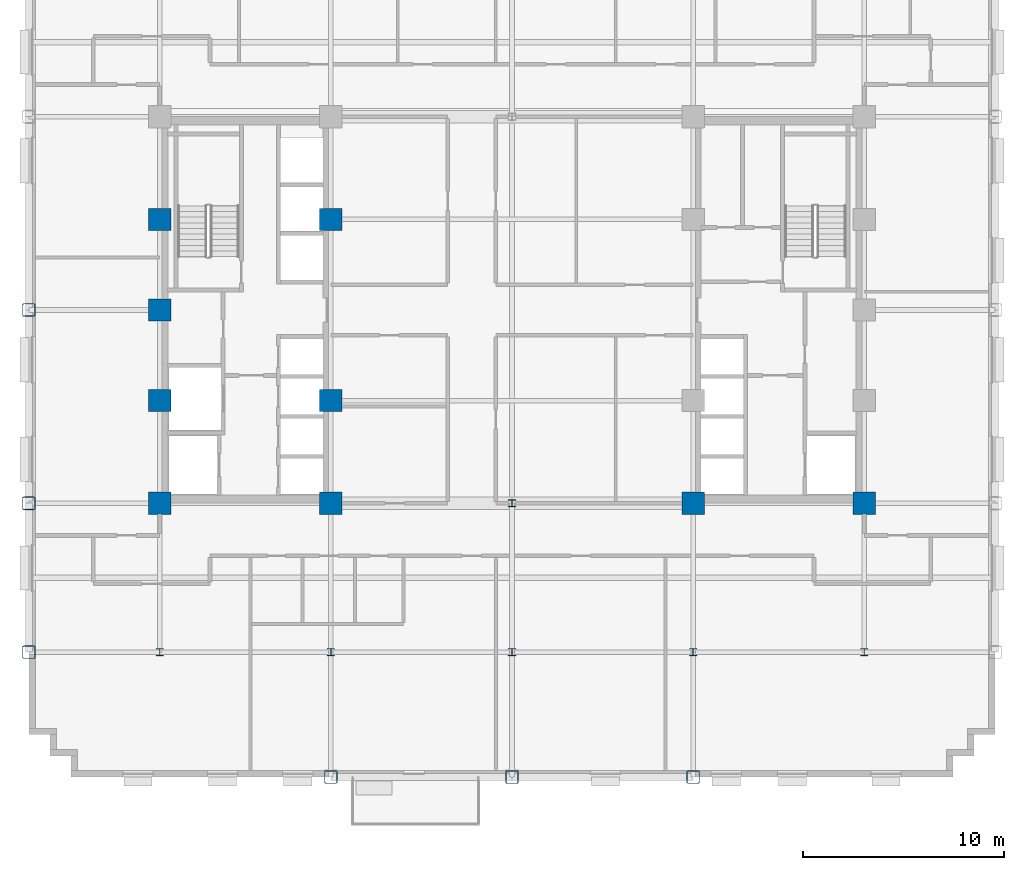
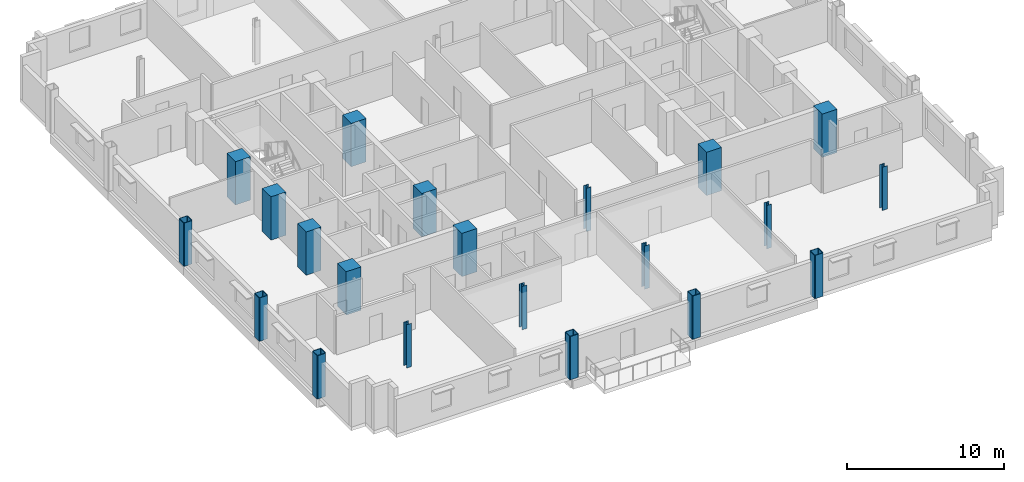
# One storey, part 1 of 14: 21 columns.
"""IFC4 building model written with IfcOpenShell, lengths in metres."""

from ifc_helpers import new_model, si_unit, direction, frame, origin, origin_2d, place, context, subcontext, project, spatial, rectangle, hollow_rectangle, i_section, extrude, material, material_profile, profile_set, type_object, element, save


model = new_model("IFC4")

# Units and contexts
model_context = context("Model", 3, precision=1e-05, world=origin(), true_north=direction((0.0, 1.0)))
body_context = subcontext(model_context, "Body", "Model", "MODEL_VIEW")
ifc_project = project(units=[si_unit("LENGTHUNIT", "METRE"), si_unit("AREAUNIT", "SQUARE_METRE"), si_unit("VOLUMEUNIT", "CUBIC_METRE"), si_unit("PLANEANGLEUNIT", "RADIAN"), si_unit("MASSUNIT", "GRAM", prefix="KILO")], contexts=[model_context])

# Site, building, storey
site_placement = place(None, origin())
site = spatial("IfcSite", under=ifc_project, at=site_placement, CompositionType="ELEMENT")
building_placement = place(site_placement, origin())
building = spatial("IfcBuilding", under=site, at=building_placement, Name="Nuvemarco Arch Tower", CompositionType="ELEMENT")
storey_placement = place(building_placement, frame((0.0, 0.0, 109.25)))
storey = spatial("IfcBuildingStorey", under=building, at=storey_placement, Name="L28", CompositionType="ELEMENT", Elevation=109.25)

# Columns
ifc_material_1 = material(Name="Concrete C60/75", Category="concrete")
ifc_material_profile_1 = material_profile(ifc_material_1, rectangle(XDim=1.10009765625, YDim=1.10009765625, at=origin_2d()), Name="RC-COL-1100x1100")
ifc_profile_set_1 = profile_set([ifc_material_profile_1], Name="Concrete C60/75")
column_type_1 = type_object("IfcColumnType", Name="COL-CORE-1100", PredefinedType="COLUMN", material=ifc_profile_set_1)
for number, where, z_axis, x_axis, name in (
    (1, (-17.5, -9.60009765625, 0.0), (0.0, 0.0, 1.0), (1.0, 0.0, 0.0), "L28 column CC_-17.5_-9.6"),
    (2, (-17.5, -4.5, 0.0), (0.0, 0.0, 1.0), (1.0, 0.0, 0.0), "L28 column CC_-17.5_-4.5"),
    (3, (-17.5, 4.5, 0.0), (0.0, 0.0, 1.0), (1.0, 0.0, 0.0), "L28 column CC_-17.5_+4.5"),
    (4, (-9.0, -9.60009765625, 0.0), (0.0, 0.0, 1.0), (1.0, 0.0, 0.0), "L28 column CC_-9.0_-9.6"),
    (5, (-9.0, -4.5, 0.0), (0.0, 0.0, 1.0), (1.0, 0.0, 0.0), "L28 column CC_-9.0_-4.5"),
    (6, (-9.0, 4.5, 0.0), (0.0, 0.0, 1.0), (1.0, 0.0, 0.0), "L28 column CC_-9.0_+4.5"),
    (7, (9.0, -9.60009765625, 0.0), (0.0, 0.0, 1.0), (1.0, 0.0, 0.0), "L28 column CC_+9.0_-9.6"),
    (8, (17.5, -9.60009765625, 0.0), (0.0, 0.0, 1.0), (1.0, 0.0, 0.0), "L28 column CC_+17.5_-9.6"),
    (9, (-17.5, 0.0, 0.0), (0.0, 0.0, 1.0), (1.0, 0.0, 0.0), "L28 column CC_-17.5_+0.0"),
):
    element("IfcColumn", number, at=place(storey_placement, frame(where, z_axis=z_axis, x_axis=x_axis)), inside=storey, type_object=column_type_1, Name=name, PredefinedType="COLUMN", context=body_context, shape_type="SweptSolid", body=[
        extrude(rectangle(XDim=1.10009765625, YDim=1.10009765625, at=origin_2d()), origin(), (0.0, 0.0, 1.0), 3.3701171875),
    ])
ifc_material_2 = material(Name="Steel S355", Category="steel")
ifc_material_profile_2 = material_profile(ifc_material_2, hollow_rectangle(XDim=0.64990234375, YDim=0.64990234375, WallThickness=0.0400390625, InnerFilletRadius=0.0400390625, OuterFilletRadius=0.080078125, at=origin_2d()), Name="SHS650x650x40")
ifc_profile_set_2 = profile_set([ifc_material_profile_2], Name="Steel S355")
column_type_2 = type_object("IfcColumnType", Name="COL-EXO-650", PredefinedType="COLUMN", material=ifc_profile_set_2)
for number, where, z_axis, x_axis, name in (
    (10, (-24.0, -17.0, 0.0), (0.0, 0.0, 1.0), (1.0, 0.0, 0.0), "L28 column CX_-24.0_-17.0"),
    (11, (-24.0, -9.60009765625, 0.0), (0.0, 0.0, 1.0), (1.0, 0.0, 0.0), "L28 column CX_-24.0_-9.6"),
    (12, (-24.0, 0.0, 0.0), (0.0, 0.0, 1.0), (1.0, 0.0, 0.0), "L28 column CX_-24.0_+0.0"),
    (13, (-9.0, -23.199951171875, 0.0), (0.0, 0.0, 1.0), (1.0, 0.0, 0.0), "L28 column CY_-9.0_-23.2"),
    (14, (0.0, -23.199951171875, 0.0), (0.0, 0.0, 1.0), (1.0, 0.0, 0.0), "L28 column CY_+0.0_-23.2"),
    (15, (9.0, -23.199951171875, 0.0), (0.0, 0.0, 1.0), (1.0, 0.0, 0.0), "L28 column CY_+9.0_-23.2"),
):
    element("IfcColumn", number, at=place(storey_placement, frame(where, z_axis=z_axis, x_axis=x_axis)), inside=storey, type_object=column_type_2, Name=name, PredefinedType="COLUMN", context=body_context, shape_type="SweptSolid", body=[
        extrude(hollow_rectangle(XDim=0.64990234375, YDim=0.64990234375, WallThickness=0.0400390625, InnerFilletRadius=0.0400390625, OuterFilletRadius=0.080078125, at=origin_2d()), origin(), (0.0, 0.0, 1.0), 3.3701171875),
    ])
ifc_material_profile_3 = material_profile(ifc_material_2, i_section(OverallWidth=0.360107421875, OverallDepth=0.360107421875, WebThickness=0.0205078125, FlangeThickness=0.0205078125, FilletRadius=0.01806640625, at=origin_2d()), Name="HP360x174")
ifc_profile_set_3 = profile_set([ifc_material_profile_3], Name="Steel S355")
column_type_3 = type_object("IfcColumnType", Name="COL-STL-HP360", PredefinedType="COLUMN", material=ifc_profile_set_3)
for number, where, z_axis, x_axis, name in (
    (16, (0.0, -17.0, 0.0), (0.0, 0.0, 1.0), (1.0, 0.0, 0.0), "L28 column CI_+0.0_-17.0"),
    (17, (0.0, -9.60009765625, 0.0), (0.0, 0.0, 1.0), (1.0, 0.0, 0.0), "L28 column CI_+0.0_-9.6"),
    (18, (-17.5, -17.0, 0.0), (0.0, 0.0, 1.0), (1.0, 0.0, 0.0), "L28 column CI_-17.5_-17.0"),
    (19, (-9.0, -17.0, 0.0), (0.0, 0.0, 1.0), (1.0, 0.0, 0.0), "L28 column CI_-9.0_-17.0"),
    (20, (9.0, -17.0, 0.0), (0.0, 0.0, 1.0), (1.0, 0.0, 0.0), "L28 column CI_+9.0_-17.0"),
    (21, (17.5, -17.0, 0.0), (0.0, 0.0, 1.0), (1.0, 0.0, 0.0), "L28 column CI_+17.5_-17.0"),
):
    element("IfcColumn", number, at=place(storey_placement, frame(where, z_axis=z_axis, x_axis=x_axis)), inside=storey, type_object=column_type_3, Name=name, PredefinedType="COLUMN", context=body_context, shape_type="SweptSolid", body=[
        extrude(i_section(OverallWidth=0.360107421875, OverallDepth=0.360107421875, WebThickness=0.0205078125, FlangeThickness=0.0205078125, FilletRadius=0.01806640625, at=origin_2d()), origin(), (0.0, 0.0, 1.0), 3.3701171875),
    ])

save(model, "model.ifc")
